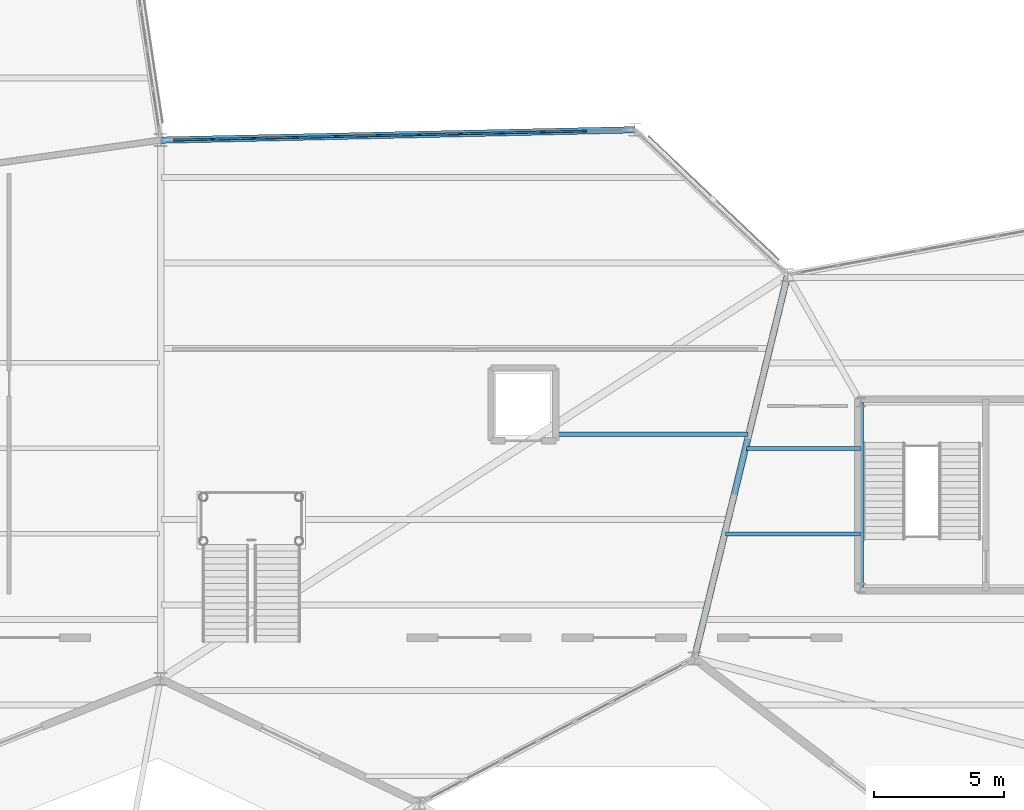
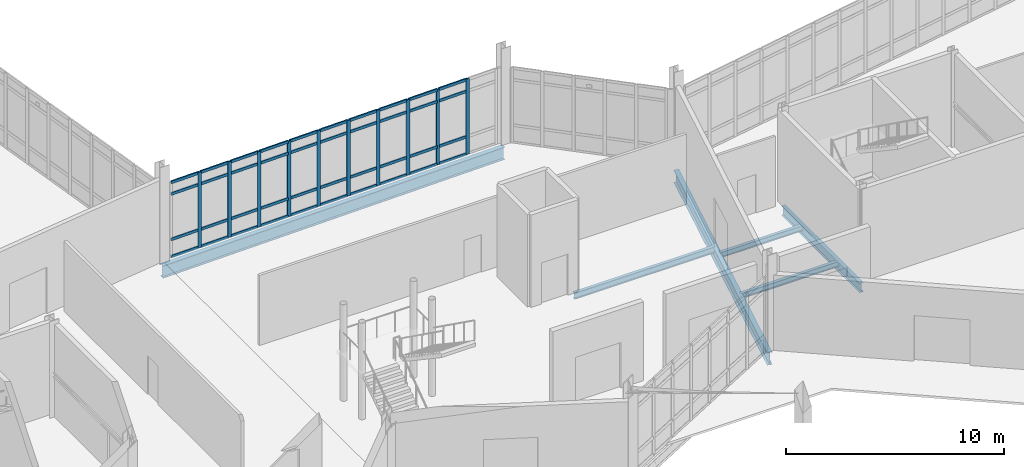
# One storey, part 39 of 113: 50 members, 6 beams, 1 element without a shape of its own.
"""IFC4 building model written with IfcOpenShell, lengths in metres."""

from ifc_helpers import new_model, si_unit, direction, frame, origin, origin_2d, place, context, subcontext, project, spatial, rectangle, i_section, extrude, material, material_profile, profile_set, type_object, element, aggregate, save


model = new_model("IFC4")

# Units and contexts
model_context = context("Model", 3, precision=1e-05, world=origin(), true_north=direction((0.0, 1.0)))
body_context = subcontext(model_context, "Body", "Model", "MODEL_VIEW")
ifc_project = project(units=[si_unit("LENGTHUNIT", "METRE"), si_unit("AREAUNIT", "SQUARE_METRE"), si_unit("VOLUMEUNIT", "CUBIC_METRE"), si_unit("PLANEANGLEUNIT", "RADIAN"), si_unit("MASSUNIT", "GRAM", prefix="KILO")], contexts=[model_context])

# Site, building, storey
site_placement = place(None, origin())
site = spatial("IfcSite", under=ifc_project, at=site_placement, CompositionType="ELEMENT")
building_placement = place(site_placement, origin())
building = spatial("IfcBuilding", under=site, at=building_placement, Name="Tameran Prism Museum", CompositionType="ELEMENT")
storey_placement = place(building_placement, origin())
storey = spatial("IfcBuildingStorey", under=building, at=storey_placement, Name="L00", CompositionType="ELEMENT", Elevation=0.0)

# Beams
ifc_material_1 = material(Name="Steel Grade 300PLUS (300 MPa)", Category="steel")
ifc_material_profile_1 = material_profile(ifc_material_1, i_section(OverallWidth=0.166015625, OverallDepth=0.306884765625, WebThickness=0.006591796875, FlangeThickness=0.01171875, FilletRadius=0.011474609375, at=origin_2d()))
ifc_profile_set_1 = profile_set([ifc_material_profile_1])
beam_type_1 = type_object("IfcBeamType", Name="BM-J310A", PredefinedType="JOIST", material=ifc_profile_set_1)
beam_1_placement = place(storey_placement, frame((99.30908203125, 33.0, -0.3935546875), z_axis=(1.0, 0.0, 0.0), x_axis=(0.0, 1.0, 0.0)))
element("IfcBeam", 1, at=beam_1_placement, inside=storey, type_object=beam_type_1, Name="Floor Beam BM-0232", PredefinedType="JOIST", context=body_context, shape_type="SweptSolid", body=[
    extrude(i_section(OverallWidth=0.166015625, OverallDepth=0.306884765625, WebThickness=0.006591796875, FlangeThickness=0.01171875, FilletRadius=0.011474609375, at=origin_2d()), origin(), (0.0, 0.0, 1.0), 5.2109375),
])
ifc_material_2 = material(Name="Steel Grade 300PLUS (300 MPa)", Category="steel")
ifc_material_profile_2 = material_profile(ifc_material_2, i_section(OverallWidth=0.1650390625, OverallDepth=0.303955078125, WebThickness=0.006103515625, FlangeThickness=0.01025390625, FilletRadius=0.011474609375, at=origin_2d()))
ifc_profile_set_2 = profile_set([ifc_material_profile_2])
beam_type_2 = type_object("IfcBeamType", Name="BM-J310B", PredefinedType="JOIST", material=ifc_profile_set_2)
beam_2_placement = place(storey_placement, frame((100.111083984375, 36.300048828125, -0.39208984375), z_axis=(1.0, 0.0, 0.0), x_axis=(0.0, 1.0, 0.0)))
element("IfcBeam", 2, at=beam_2_placement, inside=storey, type_object=beam_type_2, Name="Floor Beam BM-0235", PredefinedType="JOIST", context=body_context, shape_type="SweptSolid", body=[
    extrude(i_section(OverallWidth=0.1650390625, OverallDepth=0.303955078125, WebThickness=0.006103515625, FlangeThickness=0.01025390625, FilletRadius=0.011474609375, at=origin_2d()), origin(), (0.0, 0.0, 1.0), 4.408935546875),
])
ifc_material_3 = material(Name="Steel Grade 300PLUS (300 MPa)", Category="steel")
ifc_material_profile_3 = material_profile(ifc_material_3, i_section(OverallWidth=0.1708984375, OverallDepth=0.35595703125, WebThickness=0.00732421875, FlangeThickness=0.011474609375, FilletRadius=0.011474609375, at=origin_2d()))
ifc_profile_set_3 = profile_set([ifc_material_profile_3])
beam_type_3 = type_object("IfcBeamType", Name="BM-J360B", PredefinedType="JOIST", material=ifc_profile_set_3)
beam_3_placement = place(storey_placement, frame((92.72998046875, 36.85009765625, -0.41796875), z_axis=(1.0, 0.0, 0.0), x_axis=(0.0, 1.0, 0.0)))
element("IfcBeam", 3, at=beam_3_placement, inside=storey, type_object=beam_type_3, Name="Floor Beam BM-0214", PredefinedType="JOIST", context=body_context, shape_type="SweptSolid", body=[
    extrude(i_section(OverallWidth=0.1708984375, OverallDepth=0.35595703125, WebThickness=0.00732421875, FlangeThickness=0.011474609375, FilletRadius=0.011474609375, at=origin_2d()), origin(), (0.0, 0.0, 1.0), 7.43310546875),
])
ifc_material_4 = material(Name="Steel Grade 300PLUS (300 MPa)", Category="steel")
ifc_material_profile_4 = material_profile(ifc_material_4, i_section(OverallWidth=0.208984375, OverallDepth=0.528076171875, WebThickness=0.009521484375, FlangeThickness=0.01318359375, FilletRadius=0.013916015625, at=origin_2d()))
ifc_profile_set_4 = profile_set([ifc_material_profile_4])
beam_type_4 = type_object("IfcBeamType", Name="BM-SP530B", PredefinedType="SPANDREL", material=ifc_profile_set_4)
beam_4_placement = place(storey_placement, frame((104.52001953125, 38.080078125, -0.50390625), z_axis=(0.0, -1.0, 0.0), x_axis=(1.0, 0.0, 0.0)))
element("IfcBeam", 4, at=beam_4_placement, inside=storey, type_object=beam_type_4, Name="Core Ring Beam CTB-0125", PredefinedType="SPANDREL", context=body_context, shape_type="SweptSolid", body=[
    extrude(i_section(OverallWidth=0.208984375, OverallDepth=0.528076171875, WebThickness=0.009521484375, FlangeThickness=0.01318359375, FilletRadius=0.013916015625, at=origin_2d()), origin(), (0.0, 0.0, 1.0), 7.16015625),
])
ifc_material_5 = material(Name="Steel Grade 350 (350 MPa)", Category="steel")
ifc_material_profile_5 = material_profile(ifc_material_5, i_section(OverallWidth=0.25, OverallDepth=0.699951171875, WebThickness=0.010009765625, FlangeThickness=0.02001953125, at=origin_2d()))
ifc_profile_set_5 = profile_set([ifc_material_profile_5])
beam_type_5 = type_object("IfcBeamType", Name="BM-SP700", PredefinedType="SPANDREL", material=ifc_profile_set_5)
beam_5_placement = place(storey_placement, frame((98.10009765625, 28.199951171875, -0.590087890625), z_axis=(0.236341762997, 0.971669990822, 0.0), x_axis=(-0.971669990822, 0.236341762997, 0.0)))
element("IfcBeam", 5, at=beam_5_placement, inside=storey, type_object=beam_type_5, Name="Perimeter Spandrel SP-0029", PredefinedType="SPANDREL", context=body_context, shape_type="SweptSolid", body=[
    extrude(i_section(OverallWidth=0.25, OverallDepth=0.699951171875, WebThickness=0.010009765625, FlangeThickness=0.02001953125, at=origin_2d()), origin(), (0.0, 0.0, 1.0), 15.2314453125),
])
beam_6_placement = place(storey_placement, frame((95.800048828125, 48.60009765625, -0.590087890625), z_axis=(-0.999761027559, -0.021860644425, 0.0), x_axis=(0.021860644425, -0.999761027559, 0.0)))
element("IfcBeam", 6, at=beam_6_placement, inside=storey, type_object=beam_type_5, Name="Perimeter Spandrel SP-0031", PredefinedType="SPANDREL", context=body_context, shape_type="SweptSolid", body=[
    extrude(i_section(OverallWidth=0.25, OverallDepth=0.699951171875, WebThickness=0.010009765625, FlangeThickness=0.02001953125, at=origin_2d()), origin(), (0.0, 0.0, 1.0), 18.304443359375),
])

# Curtain wall, members
ifc_material_6 = material(Name="Anodised Aluminium 6063-T6 and Cyclone Solar Glass", Category="aluminium")
curtain_wall_type = type_object("IfcCurtainWallType", Name="CW-FAC-1754x422", PredefinedType="USERDEFINED", material=ifc_material_6)
curtain_wall_placement = place(storey_placement, origin())
curtain_wall = element("IfcCurtainWall", 7, at=curtain_wall_placement, inside=storey, type_object=curtain_wall_type, Name="Unitised Curtain Wall CW-032", ObjectType="UNITISED CURTAIN WALL", PredefinedType="USERDEFINED")
ifc_material_7 = material(Name="Anodised Aluminium Alloy 6063-T6", Category="aluminium")
ifc_material_profile_6 = material_profile(ifc_material_7, rectangle(XDim=0.070068359375, YDim=0.179931640625, at=origin_2d()))
ifc_profile_set_6 = profile_set([ifc_material_profile_6])
member_type_1 = type_object("IfcMemberType", Name="CW-MUL-B", PredefinedType="MULLION", material=ifc_profile_set_6)
member_1_placement = place(storey_placement, frame((79.504638671875, 48.243896484375, 0.0), z_axis=(0.0, 0.0, 1.0), x_axis=(-0.021830600058, 0.999761684053, 0.0)))
member_1 = element("IfcMember", 8, at=member_1_placement, type_object=member_type_1, Name="CW-032 mullion 2", PredefinedType="MULLION", context=body_context, shape_type="SweptSolid", body=[
    extrude(rectangle(XDim=0.070068359375, YDim=0.179931640625, at=origin_2d()), origin(), (0.0, 0.0, 1.0), 4.219970703125),
])
member_2_placement = place(storey_placement, frame((81.09912109375, 48.278564453125, 0.0), z_axis=(0.0, 0.0, 1.0), x_axis=(-0.021830600058, 0.999761684053, 0.0)))
member_2 = element("IfcMember", 9, at=member_2_placement, type_object=member_type_1, Name="CW-032 mullion 3", PredefinedType="MULLION", context=body_context, shape_type="SweptSolid", body=[
    extrude(rectangle(XDim=0.070068359375, YDim=0.179931640625, at=origin_2d()), origin(), (0.0, 0.0, 1.0), 4.219970703125),
])
member_3_placement = place(storey_placement, frame((82.693603515625, 48.3134765625, 0.0), z_axis=(0.0, 0.0, 1.0), x_axis=(-0.021830600058, 0.999761684053, 0.0)))
member_3 = element("IfcMember", 10, at=member_3_placement, type_object=member_type_1, Name="CW-032 mullion 4", PredefinedType="MULLION", context=body_context, shape_type="SweptSolid", body=[
    extrude(rectangle(XDim=0.070068359375, YDim=0.179931640625, at=origin_2d()), origin(), (0.0, 0.0, 1.0), 4.219970703125),
])
member_4_placement = place(storey_placement, frame((84.2880859375, 48.348388671875, 0.0), z_axis=(0.0, 0.0, 1.0), x_axis=(-0.021830600058, 0.999761684053, 0.0)))
member_4 = element("IfcMember", 11, at=member_4_placement, type_object=member_type_1, Name="CW-032 mullion 5", PredefinedType="MULLION", context=body_context, shape_type="SweptSolid", body=[
    extrude(rectangle(XDim=0.070068359375, YDim=0.179931640625, at=origin_2d()), origin(), (0.0, 0.0, 1.0), 4.219970703125),
])
member_5_placement = place(storey_placement, frame((85.8828125, 48.383056640625, 0.0), z_axis=(0.0, 0.0, 1.0), x_axis=(-0.021830600058, 0.999761684053, 0.0)))
member_5 = element("IfcMember", 12, at=member_5_placement, type_object=member_type_1, Name="CW-032 mullion 6", PredefinedType="MULLION", context=body_context, shape_type="SweptSolid", body=[
    extrude(rectangle(XDim=0.070068359375, YDim=0.179931640625, at=origin_2d()), origin(), (0.0, 0.0, 1.0), 4.219970703125),
])
member_6_placement = place(storey_placement, frame((87.477294921875, 48.41796875, 0.0), z_axis=(0.0, 0.0, 1.0), x_axis=(-0.021830600058, 0.999761684053, 0.0)))
member_6 = element("IfcMember", 13, at=member_6_placement, type_object=member_type_1, Name="CW-032 mullion 7", PredefinedType="MULLION", context=body_context, shape_type="SweptSolid", body=[
    extrude(rectangle(XDim=0.070068359375, YDim=0.179931640625, at=origin_2d()), origin(), (0.0, 0.0, 1.0), 4.219970703125),
])
member_7_placement = place(storey_placement, frame((89.07177734375, 48.45263671875, 0.0), z_axis=(0.0, 0.0, 1.0), x_axis=(-0.021830600058, 0.999761684053, 0.0)))
member_7 = element("IfcMember", 14, at=member_7_placement, type_object=member_type_1, Name="CW-032 mullion 8", PredefinedType="MULLION", context=body_context, shape_type="SweptSolid", body=[
    extrude(rectangle(XDim=0.070068359375, YDim=0.179931640625, at=origin_2d()), origin(), (0.0, 0.0, 1.0), 4.219970703125),
])
member_8_placement = place(storey_placement, frame((90.666259765625, 48.487548828125, 0.0), z_axis=(0.0, 0.0, 1.0), x_axis=(-0.021830600058, 0.999761684053, 0.0)))
member_8 = element("IfcMember", 15, at=member_8_placement, type_object=member_type_1, Name="CW-032 mullion 9", PredefinedType="MULLION", context=body_context, shape_type="SweptSolid", body=[
    extrude(rectangle(XDim=0.070068359375, YDim=0.179931640625, at=origin_2d()), origin(), (0.0, 0.0, 1.0), 4.219970703125),
])
member_9_placement = place(storey_placement, frame((92.260986328125, 48.5224609375, 0.0), z_axis=(0.0, 0.0, 1.0), x_axis=(-0.021830600058, 0.999761684053, 0.0)))
member_9 = element("IfcMember", 16, at=member_9_placement, type_object=member_type_1, Name="CW-032 mullion 10", PredefinedType="MULLION", context=body_context, shape_type="SweptSolid", body=[
    extrude(rectangle(XDim=0.070068359375, YDim=0.179931640625, at=origin_2d()), origin(), (0.0, 0.0, 1.0), 4.219970703125),
])
member_10_placement = place(storey_placement, frame((93.85546875, 48.55712890625, 0.0), z_axis=(0.0, 0.0, 1.0), x_axis=(-0.021830600058, 0.999761684053, 0.0)))
member_10 = element("IfcMember", 17, at=member_10_placement, type_object=member_type_1, Name="CW-032 mullion 11", PredefinedType="MULLION", context=body_context, shape_type="SweptSolid", body=[
    extrude(rectangle(XDim=0.070068359375, YDim=0.179931640625, at=origin_2d()), origin(), (0.0, 0.0, 1.0), 4.219970703125),
])
ifc_material_8 = material(Name="Anodised Aluminium Alloy 6063-T6", Category="aluminium")
ifc_material_profile_7 = material_profile(ifc_material_8, rectangle(XDim=0.070068359375, YDim=0.155029296875, at=origin_2d()))
ifc_profile_set_7 = profile_set([ifc_material_profile_7])
member_type_2 = type_object("IfcMemberType", Name="CW-TRN-B", PredefinedType="USERDEFINED", material=ifc_profile_set_7)
member_11_placement = place(storey_placement, frame((77.97998046875, 48.21044921875, 0.034912109375), z_axis=(0.999758887094, 0.021958316812, 0.0), x_axis=(-0.021958316812, 0.999758887094, 0.0)))
member_11 = element("IfcMember", 18, at=member_11_placement, type_object=member_type_2, Name="CW-032 transom 1.1", ObjectType="TRANSOM", PredefinedType="USERDEFINED", context=body_context, shape_type="SweptSolid", body=[
    extrude(rectangle(XDim=0.070068359375, YDim=0.155029296875, at=origin_2d()), origin(), (0.0, 0.0, 1.0), 1.48974609375),
])
member_12_placement = place(storey_placement, frame((77.97998046875, 48.21044921875, 1.0), z_axis=(0.999758887094, 0.021958316812, 0.0), x_axis=(-0.021958316812, 0.999758887094, 0.0)))
member_12 = element("IfcMember", 19, at=member_12_placement, type_object=member_type_2, Name="CW-032 transom 1.2", ObjectType="TRANSOM", PredefinedType="USERDEFINED", context=body_context, shape_type="SweptSolid", body=[
    extrude(rectangle(XDim=0.070068359375, YDim=0.155029296875, at=origin_2d()), origin(), (0.0, 0.0, 1.0), 1.48974609375),
])
member_13_placement = place(storey_placement, frame((77.97998046875, 48.21044921875, 3.5400390625), z_axis=(0.999758887094, 0.021958316812, 0.0), x_axis=(-0.021958316812, 0.999758887094, 0.0)))
member_13 = element("IfcMember", 20, at=member_13_placement, type_object=member_type_2, Name="CW-032 transom 1.3", ObjectType="TRANSOM", PredefinedType="USERDEFINED", context=body_context, shape_type="SweptSolid", body=[
    extrude(rectangle(XDim=0.070068359375, YDim=0.155029296875, at=origin_2d()), origin(), (0.0, 0.0, 1.0), 1.48974609375),
])
member_14_placement = place(storey_placement, frame((77.97998046875, 48.21044921875, 4.18505859375), z_axis=(0.999758887094, 0.021958316812, 0.0), x_axis=(-0.021958316812, 0.999758887094, 0.0)))
member_14 = element("IfcMember", 21, at=member_14_placement, type_object=member_type_2, Name="CW-032 transom 1.4", ObjectType="TRANSOM", PredefinedType="USERDEFINED", context=body_context, shape_type="SweptSolid", body=[
    extrude(rectangle(XDim=0.070068359375, YDim=0.155029296875, at=origin_2d()), origin(), (0.0, 0.0, 1.0), 1.48974609375),
])
member_15_placement = place(storey_placement, frame((79.53955078125, 48.24462890625, 0.034912109375), z_axis=(0.999762956258, 0.021772259736, 0.0), x_axis=(-0.021772259736, 0.999762956258, 0.0)))
member_15 = element("IfcMember", 22, at=member_15_placement, type_object=member_type_2, Name="CW-032 transom 2.1", ObjectType="TRANSOM", PredefinedType="USERDEFINED", context=body_context, shape_type="SweptSolid", body=[
    extrude(rectangle(XDim=0.070068359375, YDim=0.155029296875, at=origin_2d()), origin(), (0.0, 0.0, 1.0), 1.52490234375),
])
member_16_placement = place(storey_placement, frame((79.53955078125, 48.24462890625, 1.0), z_axis=(0.999762956258, 0.021772259736, 0.0), x_axis=(-0.021772259736, 0.999762956258, 0.0)))
member_16 = element("IfcMember", 23, at=member_16_placement, type_object=member_type_2, Name="CW-032 transom 2.2", ObjectType="TRANSOM", PredefinedType="USERDEFINED", context=body_context, shape_type="SweptSolid", body=[
    extrude(rectangle(XDim=0.070068359375, YDim=0.155029296875, at=origin_2d()), origin(), (0.0, 0.0, 1.0), 1.52490234375),
])
member_17_placement = place(storey_placement, frame((79.53955078125, 48.24462890625, 3.5400390625), z_axis=(0.999762956258, 0.021772259736, 0.0), x_axis=(-0.021772259736, 0.999762956258, 0.0)))
member_17 = element("IfcMember", 24, at=member_17_placement, type_object=member_type_2, Name="CW-032 transom 2.3", ObjectType="TRANSOM", PredefinedType="USERDEFINED", context=body_context, shape_type="SweptSolid", body=[
    extrude(rectangle(XDim=0.070068359375, YDim=0.155029296875, at=origin_2d()), origin(), (0.0, 0.0, 1.0), 1.52490234375),
])
member_18_placement = place(storey_placement, frame((79.53955078125, 48.24462890625, 4.18505859375), z_axis=(0.999762956258, 0.021772259736, 0.0), x_axis=(-0.021772259736, 0.999762956258, 0.0)))
member_18 = element("IfcMember", 25, at=member_18_placement, type_object=member_type_2, Name="CW-032 transom 2.4", ObjectType="TRANSOM", PredefinedType="USERDEFINED", context=body_context, shape_type="SweptSolid", body=[
    extrude(rectangle(XDim=0.070068359375, YDim=0.155029296875, at=origin_2d()), origin(), (0.0, 0.0, 1.0), 1.52490234375),
])
member_19_placement = place(storey_placement, frame((81.134033203125, 48.279296875, 0.034912109375), z_axis=(0.999759458767, 0.021932273155, 0.0), x_axis=(-0.021932273155, 0.999759458767, 0.0)))
member_19 = element("IfcMember", 26, at=member_19_placement, type_object=member_type_2, Name="CW-032 transom 3.1", ObjectType="TRANSOM", PredefinedType="USERDEFINED", context=body_context, shape_type="SweptSolid", body=[
    extrude(rectangle(XDim=0.070068359375, YDim=0.155029296875, at=origin_2d()), origin(), (0.0, 0.0, 1.0), 1.525146484375),
])
member_20_placement = place(storey_placement, frame((81.134033203125, 48.279296875, 1.0), z_axis=(0.999759458767, 0.021932273155, 0.0), x_axis=(-0.021932273155, 0.999759458767, 0.0)))
member_20 = element("IfcMember", 27, at=member_20_placement, type_object=member_type_2, Name="CW-032 transom 3.2", ObjectType="TRANSOM", PredefinedType="USERDEFINED", context=body_context, shape_type="SweptSolid", body=[
    extrude(rectangle(XDim=0.070068359375, YDim=0.155029296875, at=origin_2d()), origin(), (0.0, 0.0, 1.0), 1.525146484375),
])
member_21_placement = place(storey_placement, frame((81.134033203125, 48.279296875, 3.5400390625), z_axis=(0.999759458767, 0.021932273155, 0.0), x_axis=(-0.021932273155, 0.999759458767, 0.0)))
member_21 = element("IfcMember", 28, at=member_21_placement, type_object=member_type_2, Name="CW-032 transom 3.3", ObjectType="TRANSOM", PredefinedType="USERDEFINED", context=body_context, shape_type="SweptSolid", body=[
    extrude(rectangle(XDim=0.070068359375, YDim=0.155029296875, at=origin_2d()), origin(), (0.0, 0.0, 1.0), 1.525146484375),
])
member_22_placement = place(storey_placement, frame((81.134033203125, 48.279296875, 4.18505859375), z_axis=(0.999759458767, 0.021932273155, 0.0), x_axis=(-0.021932273155, 0.999759458767, 0.0)))
member_22 = element("IfcMember", 29, at=member_22_placement, type_object=member_type_2, Name="CW-032 transom 3.4", ObjectType="TRANSOM", PredefinedType="USERDEFINED", context=body_context, shape_type="SweptSolid", body=[
    extrude(rectangle(XDim=0.070068359375, YDim=0.155029296875, at=origin_2d()), origin(), (0.0, 0.0, 1.0), 1.525146484375),
])
member_23_placement = place(storey_placement, frame((82.728515625, 48.314208984375, 0.034912109375), z_axis=(0.999762956258, 0.021772259736, 0.0), x_axis=(-0.021772259736, 0.999762956258, 0.0)))
member_23 = element("IfcMember", 30, at=member_23_placement, type_object=member_type_2, Name="CW-032 transom 4.1", ObjectType="TRANSOM", PredefinedType="USERDEFINED", context=body_context, shape_type="SweptSolid", body=[
    extrude(rectangle(XDim=0.070068359375, YDim=0.155029296875, at=origin_2d()), origin(), (0.0, 0.0, 1.0), 1.52490234375),
])
member_24_placement = place(storey_placement, frame((82.728515625, 48.314208984375, 1.0), z_axis=(0.999762956258, 0.021772259736, 0.0), x_axis=(-0.021772259736, 0.999762956258, 0.0)))
member_24 = element("IfcMember", 31, at=member_24_placement, type_object=member_type_2, Name="CW-032 transom 4.2", ObjectType="TRANSOM", PredefinedType="USERDEFINED", context=body_context, shape_type="SweptSolid", body=[
    extrude(rectangle(XDim=0.070068359375, YDim=0.155029296875, at=origin_2d()), origin(), (0.0, 0.0, 1.0), 1.52490234375),
])
member_25_placement = place(storey_placement, frame((82.728515625, 48.314208984375, 3.5400390625), z_axis=(0.999762956258, 0.021772259736, 0.0), x_axis=(-0.021772259736, 0.999762956258, 0.0)))
member_25 = element("IfcMember", 32, at=member_25_placement, type_object=member_type_2, Name="CW-032 transom 4.3", ObjectType="TRANSOM", PredefinedType="USERDEFINED", context=body_context, shape_type="SweptSolid", body=[
    extrude(rectangle(XDim=0.070068359375, YDim=0.155029296875, at=origin_2d()), origin(), (0.0, 0.0, 1.0), 1.52490234375),
])
member_26_placement = place(storey_placement, frame((82.728515625, 48.314208984375, 4.18505859375), z_axis=(0.999762956258, 0.021772259736, 0.0), x_axis=(-0.021772259736, 0.999762956258, 0.0)))
member_26 = element("IfcMember", 33, at=member_26_placement, type_object=member_type_2, Name="CW-032 transom 4.4", ObjectType="TRANSOM", PredefinedType="USERDEFINED", context=body_context, shape_type="SweptSolid", body=[
    extrude(rectangle(XDim=0.070068359375, YDim=0.155029296875, at=origin_2d()), origin(), (0.0, 0.0, 1.0), 1.52490234375),
])
member_27_placement = place(storey_placement, frame((84.3232421875, 48.34912109375, 0.034912109375), z_axis=(0.999762880352, 0.021775744992, 0.0), x_axis=(-0.021775744992, 0.999762880352, 0.0)))
member_27 = element("IfcMember", 34, at=member_27_placement, type_object=member_type_2, Name="CW-032 transom 5.1", ObjectType="TRANSOM", PredefinedType="USERDEFINED", context=body_context, shape_type="SweptSolid", body=[
    extrude(rectangle(XDim=0.070068359375, YDim=0.155029296875, at=origin_2d()), origin(), (0.0, 0.0, 1.0), 1.524658203125),
])
member_28_placement = place(storey_placement, frame((84.3232421875, 48.34912109375, 1.0), z_axis=(0.999762880352, 0.021775744992, 0.0), x_axis=(-0.021775744992, 0.999762880352, 0.0)))
member_28 = element("IfcMember", 35, at=member_28_placement, type_object=member_type_2, Name="CW-032 transom 5.2", ObjectType="TRANSOM", PredefinedType="USERDEFINED", context=body_context, shape_type="SweptSolid", body=[
    extrude(rectangle(XDim=0.070068359375, YDim=0.155029296875, at=origin_2d()), origin(), (0.0, 0.0, 1.0), 1.524658203125),
])
member_29_placement = place(storey_placement, frame((84.3232421875, 48.34912109375, 3.5400390625), z_axis=(0.999762880352, 0.021775744992, 0.0), x_axis=(-0.021775744992, 0.999762880352, 0.0)))
member_29 = element("IfcMember", 36, at=member_29_placement, type_object=member_type_2, Name="CW-032 transom 5.3", ObjectType="TRANSOM", PredefinedType="USERDEFINED", context=body_context, shape_type="SweptSolid", body=[
    extrude(rectangle(XDim=0.070068359375, YDim=0.155029296875, at=origin_2d()), origin(), (0.0, 0.0, 1.0), 1.524658203125),
])
member_30_placement = place(storey_placement, frame((84.3232421875, 48.34912109375, 4.18505859375), z_axis=(0.999762880352, 0.021775744992, 0.0), x_axis=(-0.021775744992, 0.999762880352, 0.0)))
member_30 = element("IfcMember", 37, at=member_30_placement, type_object=member_type_2, Name="CW-032 transom 5.4", ObjectType="TRANSOM", PredefinedType="USERDEFINED", context=body_context, shape_type="SweptSolid", body=[
    extrude(rectangle(XDim=0.070068359375, YDim=0.155029296875, at=origin_2d()), origin(), (0.0, 0.0, 1.0), 1.524658203125),
])
member_31_placement = place(storey_placement, frame((85.917724609375, 48.3837890625, 0.034912109375), z_axis=(0.999759458767, 0.021932273155, 0.0), x_axis=(-0.021932273155, 0.999759458767, 0.0)))
member_31 = element("IfcMember", 38, at=member_31_placement, type_object=member_type_2, Name="CW-032 transom 6.1", ObjectType="TRANSOM", PredefinedType="USERDEFINED", context=body_context, shape_type="SweptSolid", body=[
    extrude(rectangle(XDim=0.070068359375, YDim=0.155029296875, at=origin_2d()), origin(), (0.0, 0.0, 1.0), 1.525146484375),
])
member_32_placement = place(storey_placement, frame((85.917724609375, 48.3837890625, 1.0), z_axis=(0.999759458767, 0.021932273155, 0.0), x_axis=(-0.021932273155, 0.999759458767, 0.0)))
member_32 = element("IfcMember", 39, at=member_32_placement, type_object=member_type_2, Name="CW-032 transom 6.2", ObjectType="TRANSOM", PredefinedType="USERDEFINED", context=body_context, shape_type="SweptSolid", body=[
    extrude(rectangle(XDim=0.070068359375, YDim=0.155029296875, at=origin_2d()), origin(), (0.0, 0.0, 1.0), 1.525146484375),
])
member_33_placement = place(storey_placement, frame((85.917724609375, 48.3837890625, 3.5400390625), z_axis=(0.999759458767, 0.021932273155, 0.0), x_axis=(-0.021932273155, 0.999759458767, 0.0)))
member_33 = element("IfcMember", 40, at=member_33_placement, type_object=member_type_2, Name="CW-032 transom 6.3", ObjectType="TRANSOM", PredefinedType="USERDEFINED", context=body_context, shape_type="SweptSolid", body=[
    extrude(rectangle(XDim=0.070068359375, YDim=0.155029296875, at=origin_2d()), origin(), (0.0, 0.0, 1.0), 1.525146484375),
])
member_34_placement = place(storey_placement, frame((85.917724609375, 48.3837890625, 4.18505859375), z_axis=(0.999759458767, 0.021932273155, 0.0), x_axis=(-0.021932273155, 0.999759458767, 0.0)))
member_34 = element("IfcMember", 41, at=member_34_placement, type_object=member_type_2, Name="CW-032 transom 6.4", ObjectType="TRANSOM", PredefinedType="USERDEFINED", context=body_context, shape_type="SweptSolid", body=[
    extrude(rectangle(XDim=0.070068359375, YDim=0.155029296875, at=origin_2d()), origin(), (0.0, 0.0, 1.0), 1.525146484375),
])
member_35_placement = place(storey_placement, frame((87.51220703125, 48.418701171875, 0.034912109375), z_axis=(0.999762956258, 0.021772259736, 0.0), x_axis=(-0.021772259736, 0.999762956258, 0.0)))
member_35 = element("IfcMember", 42, at=member_35_placement, type_object=member_type_2, Name="CW-032 transom 7.1", ObjectType="TRANSOM", PredefinedType="USERDEFINED", context=body_context, shape_type="SweptSolid", body=[
    extrude(rectangle(XDim=0.070068359375, YDim=0.155029296875, at=origin_2d()), origin(), (0.0, 0.0, 1.0), 1.52490234375),
])
member_36_placement = place(storey_placement, frame((87.51220703125, 48.418701171875, 1.0), z_axis=(0.999762956258, 0.021772259736, 0.0), x_axis=(-0.021772259736, 0.999762956258, 0.0)))
member_36 = element("IfcMember", 43, at=member_36_placement, type_object=member_type_2, Name="CW-032 transom 7.2", ObjectType="TRANSOM", PredefinedType="USERDEFINED", context=body_context, shape_type="SweptSolid", body=[
    extrude(rectangle(XDim=0.070068359375, YDim=0.155029296875, at=origin_2d()), origin(), (0.0, 0.0, 1.0), 1.52490234375),
])
member_37_placement = place(storey_placement, frame((87.51220703125, 48.418701171875, 3.5400390625), z_axis=(0.999762956258, 0.021772259736, 0.0), x_axis=(-0.021772259736, 0.999762956258, 0.0)))
member_37 = element("IfcMember", 44, at=member_37_placement, type_object=member_type_2, Name="CW-032 transom 7.3", ObjectType="TRANSOM", PredefinedType="USERDEFINED", context=body_context, shape_type="SweptSolid", body=[
    extrude(rectangle(XDim=0.070068359375, YDim=0.155029296875, at=origin_2d()), origin(), (0.0, 0.0, 1.0), 1.52490234375),
])
member_38_placement = place(storey_placement, frame((87.51220703125, 48.418701171875, 4.18505859375), z_axis=(0.999762956258, 0.021772259736, 0.0), x_axis=(-0.021772259736, 0.999762956258, 0.0)))
member_38 = element("IfcMember", 45, at=member_38_placement, type_object=member_type_2, Name="CW-032 transom 7.4", ObjectType="TRANSOM", PredefinedType="USERDEFINED", context=body_context, shape_type="SweptSolid", body=[
    extrude(rectangle(XDim=0.070068359375, YDim=0.155029296875, at=origin_2d()), origin(), (0.0, 0.0, 1.0), 1.52490234375),
])
member_39_placement = place(storey_placement, frame((89.106689453125, 48.45361328125, 0.034912109375), z_axis=(0.999762956258, 0.021772259736, 0.0), x_axis=(-0.021772259736, 0.999762956258, 0.0)))
member_39 = element("IfcMember", 46, at=member_39_placement, type_object=member_type_2, Name="CW-032 transom 8.1", ObjectType="TRANSOM", PredefinedType="USERDEFINED", context=body_context, shape_type="SweptSolid", body=[
    extrude(rectangle(XDim=0.070068359375, YDim=0.155029296875, at=origin_2d()), origin(), (0.0, 0.0, 1.0), 1.52490234375),
])
member_40_placement = place(storey_placement, frame((89.106689453125, 48.45361328125, 1.0), z_axis=(0.999762956258, 0.021772259736, 0.0), x_axis=(-0.021772259736, 0.999762956258, 0.0)))
member_40 = element("IfcMember", 47, at=member_40_placement, type_object=member_type_2, Name="CW-032 transom 8.2", ObjectType="TRANSOM", PredefinedType="USERDEFINED", context=body_context, shape_type="SweptSolid", body=[
    extrude(rectangle(XDim=0.070068359375, YDim=0.155029296875, at=origin_2d()), origin(), (0.0, 0.0, 1.0), 1.52490234375),
])
member_41_placement = place(storey_placement, frame((89.106689453125, 48.45361328125, 3.5400390625), z_axis=(0.999762956258, 0.021772259736, 0.0), x_axis=(-0.021772259736, 0.999762956258, 0.0)))
member_41 = element("IfcMember", 48, at=member_41_placement, type_object=member_type_2, Name="CW-032 transom 8.3", ObjectType="TRANSOM", PredefinedType="USERDEFINED", context=body_context, shape_type="SweptSolid", body=[
    extrude(rectangle(XDim=0.070068359375, YDim=0.155029296875, at=origin_2d()), origin(), (0.0, 0.0, 1.0), 1.52490234375),
])
member_42_placement = place(storey_placement, frame((89.106689453125, 48.45361328125, 4.18505859375), z_axis=(0.999762956258, 0.021772259736, 0.0), x_axis=(-0.021772259736, 0.999762956258, 0.0)))
member_42 = element("IfcMember", 49, at=member_42_placement, type_object=member_type_2, Name="CW-032 transom 8.4", ObjectType="TRANSOM", PredefinedType="USERDEFINED", context=body_context, shape_type="SweptSolid", body=[
    extrude(rectangle(XDim=0.070068359375, YDim=0.155029296875, at=origin_2d()), origin(), (0.0, 0.0, 1.0), 1.52490234375),
])
member_43_placement = place(storey_placement, frame((90.701416015625, 48.48828125, 0.034912109375), z_axis=(0.999762880352, 0.021775744992, 0.0), x_axis=(-0.021775744992, 0.999762880352, 0.0)))
member_43 = element("IfcMember", 50, at=member_43_placement, type_object=member_type_2, Name="CW-032 transom 9.1", ObjectType="TRANSOM", PredefinedType="USERDEFINED", context=body_context, shape_type="SweptSolid", body=[
    extrude(rectangle(XDim=0.070068359375, YDim=0.155029296875, at=origin_2d()), origin(), (0.0, 0.0, 1.0), 1.524658203125),
])
member_44_placement = place(storey_placement, frame((90.701416015625, 48.48828125, 1.0), z_axis=(0.999762880352, 0.021775744992, 0.0), x_axis=(-0.021775744992, 0.999762880352, 0.0)))
member_44 = element("IfcMember", 51, at=member_44_placement, type_object=member_type_2, Name="CW-032 transom 9.2", ObjectType="TRANSOM", PredefinedType="USERDEFINED", context=body_context, shape_type="SweptSolid", body=[
    extrude(rectangle(XDim=0.070068359375, YDim=0.155029296875, at=origin_2d()), origin(), (0.0, 0.0, 1.0), 1.524658203125),
])
member_45_placement = place(storey_placement, frame((90.701416015625, 48.48828125, 3.5400390625), z_axis=(0.999762880352, 0.021775744992, 0.0), x_axis=(-0.021775744992, 0.999762880352, 0.0)))
member_45 = element("IfcMember", 52, at=member_45_placement, type_object=member_type_2, Name="CW-032 transom 9.3", ObjectType="TRANSOM", PredefinedType="USERDEFINED", context=body_context, shape_type="SweptSolid", body=[
    extrude(rectangle(XDim=0.070068359375, YDim=0.155029296875, at=origin_2d()), origin(), (0.0, 0.0, 1.0), 1.524658203125),
])
member_46_placement = place(storey_placement, frame((90.701416015625, 48.48828125, 4.18505859375), z_axis=(0.999762880352, 0.021775744992, 0.0), x_axis=(-0.021775744992, 0.999762880352, 0.0)))
member_46 = element("IfcMember", 53, at=member_46_placement, type_object=member_type_2, Name="CW-032 transom 9.4", ObjectType="TRANSOM", PredefinedType="USERDEFINED", context=body_context, shape_type="SweptSolid", body=[
    extrude(rectangle(XDim=0.070068359375, YDim=0.155029296875, at=origin_2d()), origin(), (0.0, 0.0, 1.0), 1.524658203125),
])
member_47_placement = place(storey_placement, frame((92.2958984375, 48.523193359375, 0.034912109375), z_axis=(0.999762956258, 0.021772259736, 0.0), x_axis=(-0.021772259736, 0.999762956258, 0.0)))
member_47 = element("IfcMember", 54, at=member_47_placement, type_object=member_type_2, Name="CW-032 transom 10.1", ObjectType="TRANSOM", PredefinedType="USERDEFINED", context=body_context, shape_type="SweptSolid", body=[
    extrude(rectangle(XDim=0.070068359375, YDim=0.155029296875, at=origin_2d()), origin(), (0.0, 0.0, 1.0), 1.52490234375),
])
member_48_placement = place(storey_placement, frame((92.2958984375, 48.523193359375, 1.0), z_axis=(0.999762956258, 0.021772259736, 0.0), x_axis=(-0.021772259736, 0.999762956258, 0.0)))
member_48 = element("IfcMember", 55, at=member_48_placement, type_object=member_type_2, Name="CW-032 transom 10.2", ObjectType="TRANSOM", PredefinedType="USERDEFINED", context=body_context, shape_type="SweptSolid", body=[
    extrude(rectangle(XDim=0.070068359375, YDim=0.155029296875, at=origin_2d()), origin(), (0.0, 0.0, 1.0), 1.52490234375),
])
member_49_placement = place(storey_placement, frame((92.2958984375, 48.523193359375, 3.5400390625), z_axis=(0.999762956258, 0.021772259736, 0.0), x_axis=(-0.021772259736, 0.999762956258, 0.0)))
member_49 = element("IfcMember", 56, at=member_49_placement, type_object=member_type_2, Name="CW-032 transom 10.3", ObjectType="TRANSOM", PredefinedType="USERDEFINED", context=body_context, shape_type="SweptSolid", body=[
    extrude(rectangle(XDim=0.070068359375, YDim=0.155029296875, at=origin_2d()), origin(), (0.0, 0.0, 1.0), 1.52490234375),
])
member_50_placement = place(storey_placement, frame((92.2958984375, 48.523193359375, 4.18505859375), z_axis=(0.999762956258, 0.021772259736, 0.0), x_axis=(-0.021772259736, 0.999762956258, 0.0)))
member_50 = element("IfcMember", 57, at=member_50_placement, type_object=member_type_2, Name="CW-032 transom 10.4", ObjectType="TRANSOM", PredefinedType="USERDEFINED", context=body_context, shape_type="SweptSolid", body=[
    extrude(rectangle(XDim=0.070068359375, YDim=0.155029296875, at=origin_2d()), origin(), (0.0, 0.0, 1.0), 1.52490234375),
])
aggregate(curtain_wall, [member_1, member_2, member_3, member_4, member_5, member_6, member_7, member_8, member_9, member_10, member_11, member_12, member_13, member_14, member_15, member_16, member_17, member_18, member_19, member_20, member_21, member_22, member_23, member_24, member_25, member_26, member_27, member_28, member_29, member_30, member_31, member_32, member_33, member_34, member_35, member_36, member_37, member_38, member_39, member_40, member_41, member_42, member_43, member_44, member_45, member_46, member_47, member_48, member_49, member_50])

save(model, "model.ifc")
